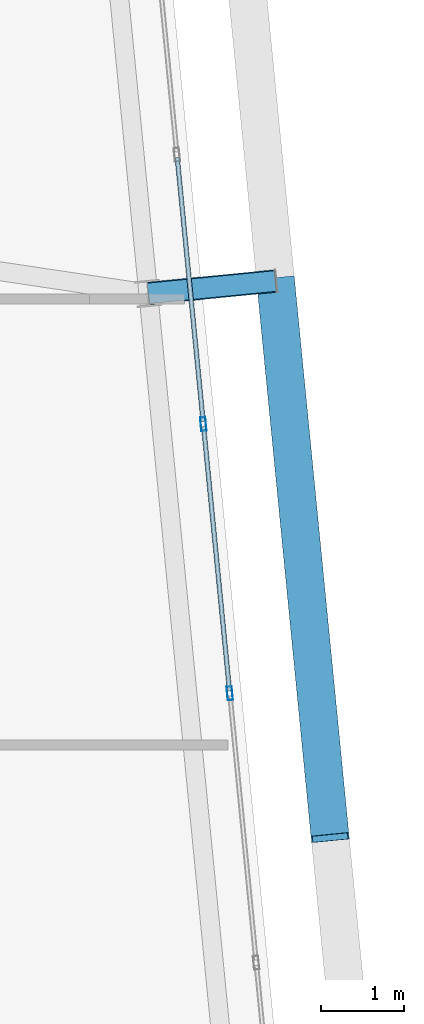
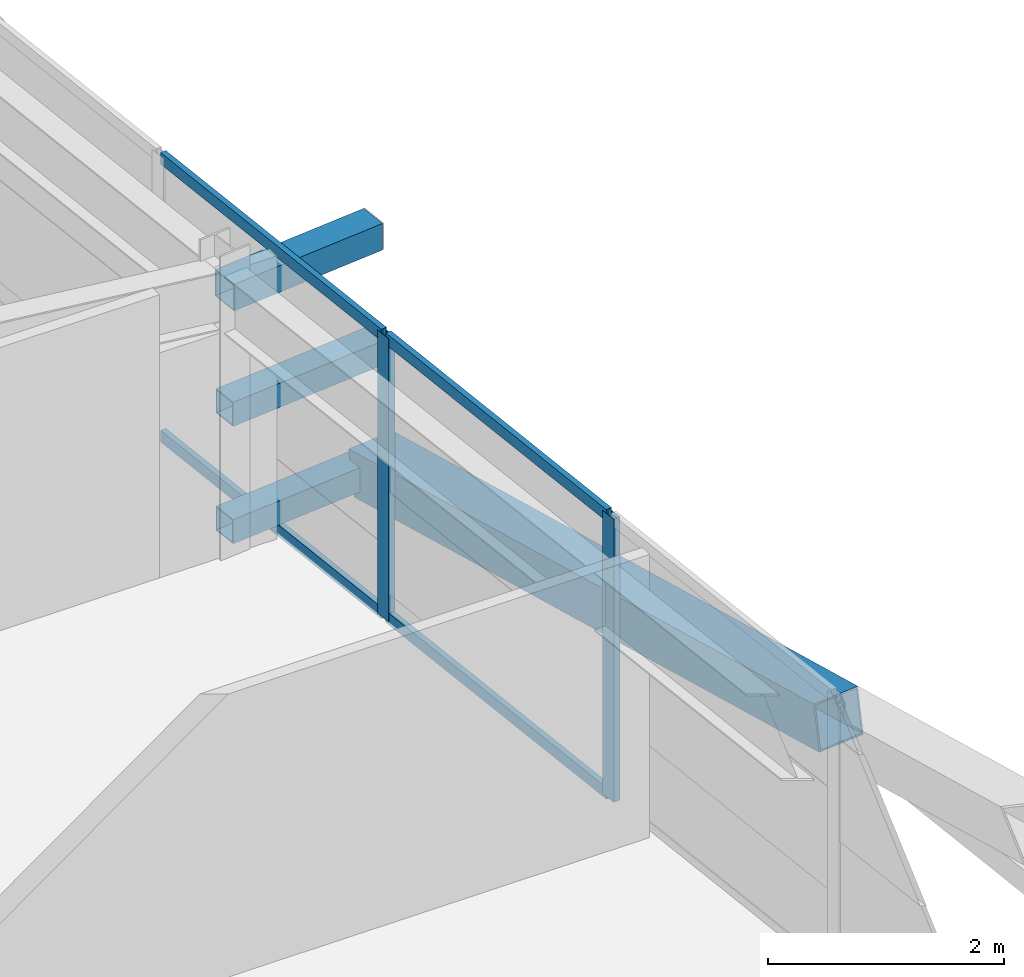
# One storey, part 24 of 53: 10 members, 1 element without a shape of its own.
"""IFC4 building model written with IfcOpenShell, lengths in metres."""

from ifc_helpers import new_model, si_unit, direction, frame, origin, origin_2d, place, context, subcontext, project, spatial, hollow_rectangle, extrude, source, transform, mapped, material, layer, layer_set, material_profile, profile_set, type_object, element, aggregate, save


model = new_model("IFC4")

# Units and contexts
model_context = context("Model", 3, precision=1e-05, world=origin(), true_north=direction((0.0, 1.0)))
body_context = subcontext(model_context, "Body", "Model", "MODEL_VIEW")
ifc_project = project(units=[si_unit("LENGTHUNIT", "METRE"), si_unit("AREAUNIT", "SQUARE_METRE"), si_unit("VOLUMEUNIT", "CUBIC_METRE"), si_unit("PLANEANGLEUNIT", "RADIAN"), si_unit("MASSUNIT", "GRAM", prefix="KILO")], contexts=[model_context])

# Site, building, storey
site_placement = place(None, origin())
site = spatial("IfcSite", under=ifc_project, at=site_placement, CompositionType="ELEMENT")
building_placement = place(site_placement, origin())
building = spatial("IfcBuilding", under=site, at=building_placement, Name="Taldren Reach Tower", CompositionType="ELEMENT")
storey_placement = place(building_placement, frame((0.0, 0.0, 71.39990234375)))
storey = spatial("IfcBuildingStorey", under=building, at=storey_placement, Name="L21", CompositionType="ELEMENT", Elevation=71.39990234375)

# Members
ifc_material_1 = material(Name="Steel Gr 450 (C450L0)", Category="steel")
ifc_material_profile_1 = material_profile(ifc_material_1, hollow_rectangle(XDim=0.27490234375, YDim=0.27490234375, WallThickness=0.00927734375, at=origin_2d()), Name="275x275x9.3SHS")
ifc_profile_set_1 = profile_set([ifc_material_profile_1], Name="Steel Gr 450 (C450L0)")
member_type_1 = type_object("IfcMemberType", Name="MB-TIE273", PredefinedType="STRUT", material=ifc_profile_set_1)
shared_shape_1 = source(origin(), body_context, "Body", "SweptSolid", [
    extrude(hollow_rectangle(XDim=0.27490234375, YDim=0.27490234375, WallThickness=0.00927734375, at=origin_2d()), origin(), (0.0, 0.0, 1.0), 1.5498046875),
])
member_1_placement = place(storey_placement, frame((64.569580078125, 21.968994140625, 2.650146484375), z_axis=(0.995234821595, 0.097507178627, 0.0), x_axis=(-0.097507178627, 0.995234821595, 0.0)))
element("IfcMember", 1, at=member_1_placement, inside=storey, type_object=member_type_1, Name="Exoskeleton diaphragm tie strut B2-E2 L21", PredefinedType="STRUT", context=body_context, shape_type="MappedRepresentation", body=[
    mapped(shared_shape_1, transform((0.0, 0.0, 0.0), scale=1.0)),
])
ifc_material_2 = material(Name="Steel Gr 350 (C350L0)", Category="steel")
ifc_material_profile_2 = material_profile(ifc_material_2, hollow_rectangle(XDim=0.25, YDim=0.25, WallThickness=0.010009765625, at=origin_2d()), Name="250x250x10.0SHS")
ifc_profile_set_2 = profile_set([ifc_material_profile_2], Name="Steel Gr 350 (C350L0)")
member_type_2 = type_object("IfcMemberType", Name="MB-POST250", PredefinedType="POST", material=ifc_profile_set_2)
shared_shape_2 = source(origin(), body_context, "Body", "SweptSolid", [
    extrude(hollow_rectangle(XDim=0.25, YDim=0.25, WallThickness=0.010009765625, at=origin_2d()), origin(), (0.0, 0.0, 1.0), 1.5498046875),
])
for number, where, z_axis, x_axis, name in (
    (2, (64.569580078125, 21.968994140625, 0.22021484375), (0.995234821595, 0.097507178627, 0.0), (-0.097507178627, 0.995234821595, 0.0), "Exoskeleton base diaphragm tie strut B2-E2 L21"),
    (3, (64.569580078125, 21.968994140625, 1.43505859375), (0.995234821595, 0.097507178627, 0.0), (-0.097507178627, 0.995234821595, 0.0), "Exoskeleton mid-tier diaphragm tie B2-E2 L21"),
):
    element("IfcMember", number, at=place(storey_placement, frame(where, z_axis=z_axis, x_axis=x_axis)), inside=storey, type_object=member_type_2, Name=name, PredefinedType="POST", context=body_context, shape_type="MappedRepresentation", body=[
        mapped(shared_shape_2, transform((0.0, 0.0, 0.0), scale=1.0)),
    ])
ifc_material_profile_3 = material_profile(ifc_material_1, hollow_rectangle(XDim=0.4599609375, YDim=0.4599609375, WallThickness=0.01611328125, at=origin_2d()), Name="460x460x16.0SHS")
ifc_profile_set_3 = profile_set([ifc_material_profile_3], Name="Steel Gr 450 (C450L0)")
member_type_3 = type_object("IfcMemberType", Name="MB-EXO457", PredefinedType="BRACE", material=ifc_profile_set_3)
shared_shape_3 = source(origin(), body_context, "Body", "SweptSolid", [
    extrude(hollow_rectangle(XDim=0.4599609375, YDim=0.4599609375, WallThickness=0.01611328125, at=origin_2d()), origin(), (0.0, 0.0, 1.0), 6.883056640625),
])
member_2_placement = place(storey_placement, frame((66.112060546875, 22.1201171875, 0.22021484375), z_axis=(0.096052059581, -0.979603316657, 0.176497432967), x_axis=(0.995227290009, 0.097584021339, 0.0)))
element("IfcMember", 4, at=member_2_placement, inside=storey, type_object=member_type_3, Name="Exoskeleton Diagrid Brace B2-E1 L21", PredefinedType="BRACE", context=body_context, shape_type="MappedRepresentation", body=[
    mapped(shared_shape_3, transform((0.0, 0.0, 0.0), scale=1.0)),
])

# Curtain wall, members
ifc_material_3 = material(Name="Aluminium and Low-E Glass Unitised System", Category="aluminium")
ifc_layer = layer(ifc_material_3, 0.159912109375)
ifc_layer_set = layer_set([ifc_layer], Name="Aluminium and Low-E Glass Unitised System")
curtain_wall_type = type_object("IfcCurtainWallType", Name="CW-SYS-3", PredefinedType="NOTDEFINED", material=ifc_layer_set)
curtain_wall_placement = place(storey_placement, origin())
curtain_wall = element("IfcCurtainWall", 5, at=curtain_wall_placement, inside=storey, type_object=curtain_wall_type, Name="Unitised curtain wall CW-L21-E", PredefinedType="NOTDEFINED")
ifc_material_4 = material(Name="Anodised Aluminium 6063-T6", Category="aluminium")
ifc_material_profile_4 = material_profile(ifc_material_4, hollow_rectangle(XDim=0.06494140625, YDim=0.1650390625, WallThickness=0.00390625, at=origin_2d()), Name="ALU-165x65x4RHS")
ifc_profile_set_4 = profile_set([ifc_material_profile_4], Name="Anodised Aluminium 6063-T6")
member_type_4 = type_object("IfcMemberType", Name="CW-MUL-165", PredefinedType="MULLION", material=ifc_profile_set_4)
shared_shape_4 = source(origin(), body_context, "Body", "SweptSolid", [
    extrude(hollow_rectangle(XDim=0.06494140625, YDim=0.1650390625, WallThickness=0.00390625, at=origin_2d()), origin(), (0.0, 0.0, 1.0), 2.93017578125),
])
member_3_placement = place(storey_placement, frame((65.556884765625, 17.12548828125, 0.0), z_axis=(0.0, 0.0, 1.0), x_axis=(-0.99522741555, -0.09758274098, 0.0)))
member_3 = element("IfcMember", 6, at=member_3_placement, type_object=member_type_4, Name="CW-3 mullion 4", PredefinedType="MULLION", context=body_context, shape_type="MappedRepresentation", body=[
    mapped(shared_shape_4, transform((0.0, 0.0, 0.0), scale=1.0)),
])
member_4_placement = place(storey_placement, frame((65.237060546875, 20.3876953125, 0.0), z_axis=(0.0, 0.0, 1.0), x_axis=(-0.99522741555, -0.09758274098, 0.0)))
member_4 = element("IfcMember", 7, at=member_4_placement, type_object=member_type_4, Name="CW-3 mullion 5", PredefinedType="MULLION", context=body_context, shape_type="MappedRepresentation", body=[
    mapped(shared_shape_4, transform((0.0, 0.0, 0.0), scale=1.0)),
])
ifc_material_profile_5 = material_profile(ifc_material_4, hollow_rectangle(XDim=0.054931640625, YDim=0.1201171875, WallThickness=0.0029296875, at=origin_2d()), Name="ALU-120x55x3RHS")
ifc_profile_set_5 = profile_set([ifc_material_profile_5], Name="Anodised Aluminium 6063-T6")
member_type_5 = type_object("IfcMemberType", Name="CW-TRN-135", PredefinedType="USERDEFINED", material=ifc_profile_set_5)
shared_shape_5 = source(origin(), body_context, "Body", "SweptSolid", [
    extrude(hollow_rectangle(XDim=0.054931640625, YDim=0.1201171875, WallThickness=0.0029296875, at=origin_2d()), origin(), (0.0, 0.0, 1.0), 3.212890625),
])
member_5_placement = place(storey_placement, frame((65.5537109375, 17.15771484375, 0.027587890625), z_axis=(-0.097569948235, 0.995228669805, 0.0), x_axis=(-0.995228669805, -0.097569948235, 0.0)))
member_5 = element("IfcMember", 8, at=member_5_placement, type_object=member_type_5, Name="CW-3 transom 4.1", ObjectType="TRANSOM", PredefinedType="USERDEFINED", context=body_context, shape_type="MappedRepresentation", body=[
    mapped(shared_shape_5, transform((0.0, 0.0, 0.0), scale=1.0)),
])
member_6_placement = place(storey_placement, frame((65.5537109375, 17.15771484375, 2.902587890625), z_axis=(-0.097569948235, 0.995228669805, 0.0), x_axis=(-0.995228669805, -0.097569948235, 0.0)))
member_6 = element("IfcMember", 9, at=member_6_placement, type_object=member_type_5, Name="CW-3 transom 4.2", ObjectType="TRANSOM", PredefinedType="USERDEFINED", context=body_context, shape_type="MappedRepresentation", body=[
    mapped(shared_shape_5, transform((0.0, 0.0, 0.0), scale=1.0)),
])
member_7_placement = place(storey_placement, frame((65.23388671875, 20.419921875, 0.027587890625), z_axis=(-0.097645213046, 0.995221288141, 0.0), x_axis=(-0.995221288141, -0.097645213046, 0.0)))
member_7 = element("IfcMember", 10, at=member_7_placement, type_object=member_type_5, Name="CW-3 transom 5.1", ObjectType="TRANSOM", PredefinedType="USERDEFINED", context=body_context, shape_type="MappedRepresentation", body=[
    mapped(shared_shape_5, transform((0.0, 0.0, 0.0), scale=1.0)),
])
member_8_placement = place(storey_placement, frame((65.23388671875, 20.419921875, 2.902587890625), z_axis=(-0.097645213046, 0.995221288141, 0.0), x_axis=(-0.995221288141, -0.097645213046, 0.0)))
member_8 = element("IfcMember", 11, at=member_8_placement, type_object=member_type_5, Name="CW-3 transom 5.2", ObjectType="TRANSOM", PredefinedType="USERDEFINED", context=body_context, shape_type="MappedRepresentation", body=[
    mapped(shared_shape_5, transform((0.0, 0.0, 0.0), scale=1.0)),
])
aggregate(curtain_wall, [member_3, member_4, member_5, member_6, member_7, member_8])

save(model, "model.ifc")
